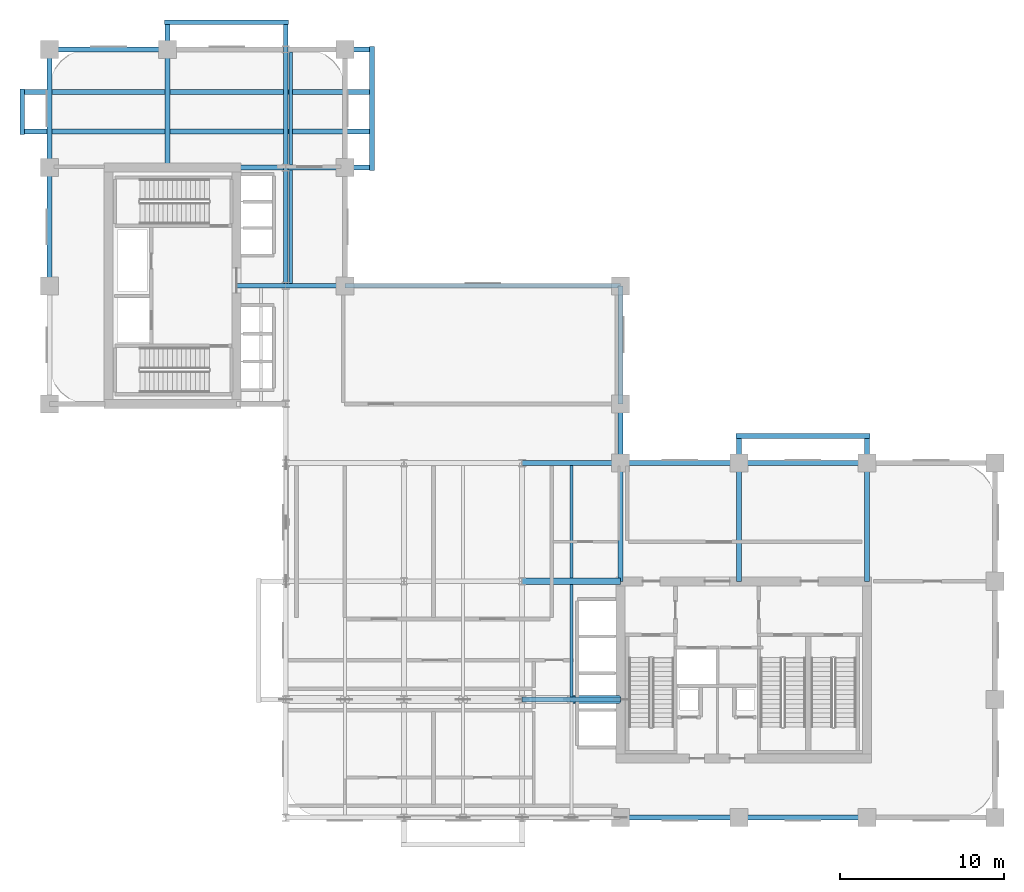
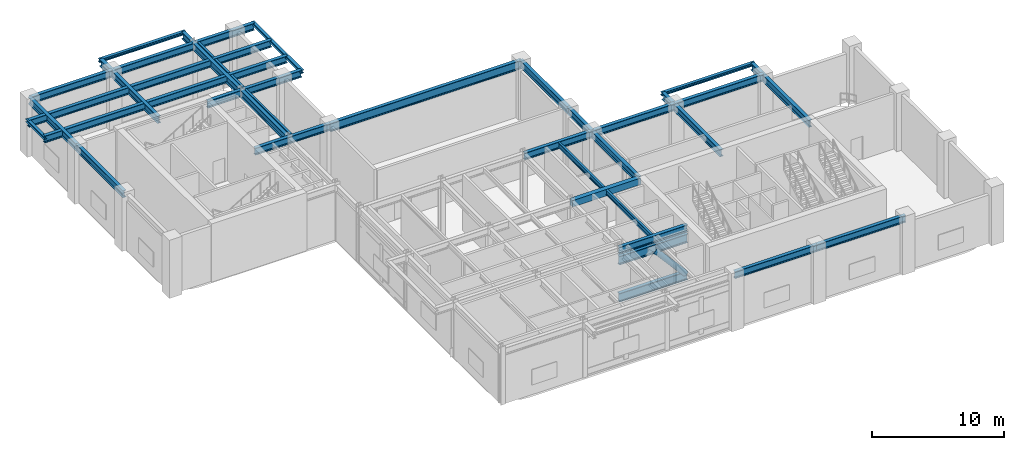
# One storey, part 3 of 12: 32 beams, 3 members.
"""IFC4 building model written with IfcOpenShell, lengths in metres."""

from ifc_helpers import new_model, si_unit, derived_unit, direction, frame, origin, origin_2d, place, context, subcontext, project, spatial, rectangle, hollow_circle, i_section, extrude, source, transform, mapped, material, material_profile, profile_set, type_object, type_shapes, element, save


model = new_model("IFC4")

# Units and contexts
model_context = context("Model", 3, precision=1e-05, world=origin(), true_north=direction((0.0, 1.0)))
body_context = subcontext(model_context, "Body", "Model", "MODEL_VIEW")
ifc_project = project(units=[si_unit("LENGTHUNIT", "METRE"), si_unit("AREAUNIT", "SQUARE_METRE"), si_unit("VOLUMEUNIT", "CUBIC_METRE"), si_unit("PLANEANGLEUNIT", "RADIAN"), si_unit("MASSUNIT", "GRAM", prefix="KILO"), si_unit("THERMODYNAMICTEMPERATUREUNIT", "KELVIN"), si_unit("POWERUNIT", "WATT"), derived_unit("THERMALTRANSMITTANCEUNIT", [(si_unit("POWERUNIT", "WATT"), 1), (si_unit("AREAUNIT", "SQUARE_METRE"), -1), (si_unit("THERMODYNAMICTEMPERATUREUNIT", "KELVIN"), -1)])], contexts=[model_context])

# Site, building, storey
site_placement = place(None, origin())
site = spatial("IfcSite", under=ifc_project, at=site_placement, CompositionType="ELEMENT")
building_placement = place(site_placement, origin())
building = spatial("IfcBuilding", under=site, at=building_placement, Name="Zahravan Archway Hotel and Residences", CompositionType="ELEMENT")
storey_placement = place(building_placement, frame((0.0, 0.0, 106.39990234375)))
storey = spatial("IfcBuildingStorey", under=building, at=storey_placement, Name="L26", CompositionType="ELEMENT", Elevation=106.39990234375)

# Beams
ifc_material_1 = material(Name="Structural Steel S355JR", Category="steel")
ifc_material_profile_1 = material_profile(ifc_material_1, i_section(OverallWidth=0.300048828125, OverallDepth=0.64990234375, WebThickness=0.01611328125, FlangeThickness=0.031005859375, FilletRadius=0.027099609375, at=origin_2d()), Name="HEB 650", Category="steel")
ifc_profile_set_1 = profile_set([ifc_material_profile_1], Name="Structural Steel S355JR")
beam_type_1 = type_object("IfcBeamType", Name="BM-PRI-HEB650", PredefinedType="BEAM", material=ifc_profile_set_1)
shared_shape_1 = source(origin(), body_context, "Body", "SweptSolid", [
    extrude(i_section(OverallWidth=0.300048828125, OverallDepth=0.64990234375, WebThickness=0.01611328125, FlangeThickness=0.031005859375, FilletRadius=0.027099609375, at=origin_2d()), origin(), (0.0, 0.0, 1.0), 7.2001953125),
])
type_shapes(beam_type_1, [shared_shape_1])
for number, where, z_axis, x_axis, name in (
    (1, (0.0, 32.39990234375, 4.8251953125), (0.0, 1.0, 0.0), (-1.0, 0.0, 0.0), "L26 Primary Girder NS-25"),
    (2, (14.39990234375, 32.39990234375, 4.8251953125), (0.0, 1.0, 0.0), (-1.0, 0.0, 0.0), "L26 Primary Girder NS-33"),
    (3, (34.800048828125, 14.39990234375, 4.8251953125), (0.0, 1.0, 0.0), (-1.0, 0.0, 0.0), "L26 Primary Girder NS-41"),
):
    element("IfcBeam", number, at=place(storey_placement, frame(where, z_axis=z_axis, x_axis=x_axis)), inside=storey, type_object=beam_type_1, Name=name, PredefinedType="BEAM", context=body_context, shape_type="MappedRepresentation", body=[
        mapped(shared_shape_1, transform((0.0, 0.0, 0.0), scale=1.0)),
    ])
shared_shape_2 = source(origin(), body_context, "Body", "SweptSolid", [
    extrude(i_section(OverallWidth=0.300048828125, OverallDepth=0.64990234375, WebThickness=0.01611328125, FlangeThickness=0.031005859375, FilletRadius=0.027099609375, at=origin_2d()), origin(), (0.0, 0.0, 1.0), 7.199951171875),
])
for number, where, z_axis, x_axis, name in (
    (4, (34.800048828125, 0.0, 4.8251953125), (1.0, 0.0, 0.0), (0.0, 1.0, 0.0), "L26 Primary Girder EW-04"),
    (5, (34.800048828125, 21.60009765625, 4.8251953125), (1.0, 0.0, 0.0), (0.0, 1.0, 0.0), "L26 Primary Girder EW-14"),
    (6, (0.0, 46.800048828125, 4.8251953125), (1.0, 0.0, 0.0), (0.0, 1.0, 0.0), "L26 Primary Girder EW-20"),
    (7, (0.0, 39.60009765625, 4.8251953125), (0.0, 1.0, 0.0), (-1.0, 0.0, 0.0), "L26 Primary Girder NS-26"),
    (8, (34.800048828125, 25.199951171875, 4.8251953125), (0.0, 1.0, 0.0), (-1.0, 0.0, 0.0), "L26 Primary Girder NS-43"),
):
    element("IfcBeam", number, at=place(storey_placement, frame(where, z_axis=z_axis, x_axis=x_axis)), inside=storey, type_object=beam_type_1, Name=name, PredefinedType="BEAM", context=body_context, shape_type="MappedRepresentation", body=[
        mapped(shared_shape_2, transform((0.0, 0.0, 0.0), scale=1.0)),
    ])
shared_shape_3 = source(origin(), body_context, "Body", "SweptSolid", [
    extrude(i_section(OverallWidth=0.300048828125, OverallDepth=0.64990234375, WebThickness=0.01611328125, FlangeThickness=0.031005859375, FilletRadius=0.027099609375, at=origin_2d()), origin(), (0.0, 0.0, 1.0), 6.0),
])
for number, where, z_axis, x_axis, name in (
    (9, (28.800048828125, 7.199951171875, 4.8251953125), (1.0, 0.0, 0.0), (0.0, 1.0, 0.0), "L26 Primary Girder EW-08"),
    (10, (28.800048828125, 21.60009765625, 4.8251953125), (1.0, 0.0, 0.0), (0.0, 1.0, 0.0), "L26 Primary Girder EW-13"),
):
    element("IfcBeam", number, at=place(storey_placement, frame(where, z_axis=z_axis, x_axis=x_axis)), inside=storey, type_object=beam_type_1, Name=name, PredefinedType="BEAM", context=body_context, shape_type="MappedRepresentation", body=[
        mapped(shared_shape_3, transform((0.0, 0.0, 0.0), scale=1.0)),
    ])
shared_shape_4 = source(origin(), body_context, "Body", "SweptSolid", [
    extrude(i_section(OverallWidth=0.300048828125, OverallDepth=0.64990234375, WebThickness=0.01611328125, FlangeThickness=0.031005859375, FilletRadius=0.027099609375, at=origin_2d()), origin(), (0.0, 0.0, 1.0), 7.800048828125),
])
for number, where, z_axis, x_axis, name in (
    (11, (42.0, 0.0, 4.8251953125), (1.0, 0.0, 0.0), (0.0, 1.0, 0.0), "L26 Primary Girder EW-05"),
    (12, (42.0, 21.60009765625, 4.8251953125), (1.0, 0.0, 0.0), (0.0, 1.0, 0.0), "L26 Primary Girder EW-15"),
):
    element("IfcBeam", number, at=place(storey_placement, frame(where, z_axis=z_axis, x_axis=x_axis)), inside=storey, type_object=beam_type_1, Name=name, PredefinedType="BEAM", context=body_context, shape_type="MappedRepresentation", body=[
        mapped(shared_shape_4, transform((0.0, 0.0, 0.0), scale=1.0)),
    ])
shared_shape_5 = source(origin(), body_context, "Body", "SweptSolid", [
    extrude(i_section(OverallWidth=0.300048828125, OverallDepth=0.64990234375, WebThickness=0.01611328125, FlangeThickness=0.031005859375, FilletRadius=0.027099609375, at=origin_2d()), origin(), (0.0, 0.0, 1.0), 6.60009765625),
])
beam_1_placement = place(storey_placement, frame((11.39990234375, 32.39990234375, 4.8251953125), z_axis=(1.0, 0.0, 0.0), x_axis=(0.0, 1.0, 0.0)))
element("IfcBeam", 13, at=beam_1_placement, inside=storey, type_object=beam_type_1, Name="L26 Primary Girder EW-17", PredefinedType="BEAM", context=body_context, shape_type="MappedRepresentation", body=[
    mapped(shared_shape_5, transform((0.0, 0.0, 0.0), scale=1.0)),
])
ifc_material_profile_2 = material_profile(ifc_material_1, i_section(OverallWidth=0.280029296875, OverallDepth=0.280029296875, WebThickness=0.010498046875, FlangeThickness=0.01806640625, FilletRadius=0.02392578125, at=origin_2d()), Name="HEB 280", Category="steel")
ifc_profile_set_2 = profile_set([ifc_material_profile_2], Name="Structural Steel S355JR")
beam_type_2 = type_object("IfcBeamType", Name="BM-SPN-HEB280", PredefinedType="SPANDREL", material=ifc_profile_set_2)
shared_shape_6 = source(origin(), body_context, "Body", "SweptSolid", [
    extrude(i_section(OverallWidth=0.280029296875, OverallDepth=0.280029296875, WebThickness=0.010498046875, FlangeThickness=0.01806640625, FilletRadius=0.02392578125, at=origin_2d()), origin(), (0.0, 0.0, 1.0), 7.56005859375),
])
type_shapes(beam_type_2, [shared_shape_6])
for number, where, z_axis, x_axis, name in (
    (14, (19.64990234375, 39.419921875, 5.010009765625), (0.0, 1.0, 0.0), (-1.0, 0.0, 0.0), "L27 EB Balcony Edge Spandrel"),
    (15, (7.02001953125, 48.449951171875, 5.010009765625), (1.0, 0.0, 0.0), (0.0, 1.0, 0.0), "L27 NB Balcony Edge Spandrel"),
):
    element("IfcBeam", number, at=place(storey_placement, frame(where, z_axis=z_axis, x_axis=x_axis)), inside=storey, type_object=beam_type_2, Name=name, PredefinedType="SPANDREL", context=body_context, shape_type="MappedRepresentation", body=[
        mapped(shared_shape_6, transform((0.0, 0.0, 0.0), scale=1.0)),
    ])
shared_shape_7 = source(origin(), body_context, "Body", "SweptSolid", [
    extrude(i_section(OverallWidth=0.280029296875, OverallDepth=0.280029296875, WebThickness=0.010498046875, FlangeThickness=0.01806640625, FilletRadius=0.02392578125, at=origin_2d()), origin(), (0.0, 0.0, 1.0), 2.759765625),
])
beam_2_placement = place(storey_placement, frame((-1.64990234375, 41.6201171875, 5.010009765625), z_axis=(0.0, 1.0, 0.0), x_axis=(-1.0, 0.0, 0.0)))
element("IfcBeam", 16, at=beam_2_placement, inside=storey, type_object=beam_type_2, Name="L27 WB Balcony Edge Spandrel", PredefinedType="SPANDREL", context=body_context, shape_type="MappedRepresentation", body=[
    mapped(shared_shape_7, transform((0.0, 0.0, 0.0), scale=1.0)),
])
shared_shape_8 = source(origin(), body_context, "Body", "SweptSolid", [
    extrude(i_section(OverallWidth=0.300048828125, OverallDepth=0.64990234375, WebThickness=0.01611328125, FlangeThickness=0.031005859375, FilletRadius=0.027099609375, at=origin_2d()), origin(), (0.0, 0.0, 1.0), 3.599853515625),
])
beam_3_placement = place(storey_placement, frame((34.800048828125, 21.60009765625, 4.8251953125), z_axis=(0.0, 1.0, 0.0), x_axis=(-1.0, 0.0, 0.0)))
element("IfcBeam", 17, at=beam_3_placement, inside=storey, type_object=beam_type_1, Name="L26 Primary Girder NS-42", PredefinedType="BEAM", context=body_context, shape_type="MappedRepresentation", body=[
    mapped(shared_shape_8, transform((0.0, 0.0, 0.0), scale=1.0)),
])
ifc_material_profile_3 = material_profile(ifc_material_1, i_section(OverallWidth=0.18994140625, OverallDepth=0.449951171875, WebThickness=0.009521484375, FlangeThickness=0.0146484375, FilletRadius=0.02099609375, at=origin_2d()), Name="IPE 450", Category="steel")
ifc_profile_set_3 = profile_set([ifc_material_profile_3], Name="Structural Steel S355JR")
beam_type_3 = type_object("IfcBeamType", Name="BM-JST-IPE450", PredefinedType="JOIST", material=ifc_profile_set_3)
shared_shape_9 = source(origin(), body_context, "Body", "SweptSolid", [
    extrude(i_section(OverallWidth=0.18994140625, OverallDepth=0.449951171875, WebThickness=0.009521484375, FlangeThickness=0.0146484375, FilletRadius=0.02099609375, at=origin_2d()), origin(), (0.0, 0.0, 1.0), 6.904052734375),
])
type_shapes(beam_type_3, [shared_shape_9])
beam_4_placement = place(storey_placement, frame((14.699951171875, 39.748046875, 4.925048828125), z_axis=(0.0, 1.0, 0.0), x_axis=(-1.0, 0.0, 0.0)))
element("IfcBeam", 18, at=beam_4_placement, inside=storey, type_object=beam_type_3, Name="L26 Composite Floor Joist 12", PredefinedType="JOIST", context=body_context, shape_type="MappedRepresentation", body=[
    mapped(shared_shape_9, transform((0.0, 0.0, 0.0), scale=1.0)),
])
shared_shape_10 = source(origin(), body_context, "Body", "SweptSolid", [
    extrude(i_section(OverallWidth=0.18994140625, OverallDepth=0.449951171875, WebThickness=0.009521484375, FlangeThickness=0.0146484375, FilletRadius=0.02099609375, at=origin_2d()), origin(), (0.0, 0.0, 1.0), 6.90380859375),
])
beam_5_placement = place(storey_placement, frame((14.699951171875, 32.548095703125, 4.925048828125), z_axis=(0.0, 1.0, 0.0), x_axis=(-1.0, 0.0, 0.0)))
element("IfcBeam", 19, at=beam_5_placement, inside=storey, type_object=beam_type_3, Name="L26 Composite Floor Joist 11", PredefinedType="JOIST", context=body_context, shape_type="MappedRepresentation", body=[
    mapped(shared_shape_10, transform((0.0, 0.0, 0.0), scale=1.0)),
])
ifc_material_2 = material(Name="Concrete C60/75", Category="concrete")
ifc_material_profile_4 = material_profile(ifc_material_2, rectangle(XDim=0.39990234375, YDim=0.60009765625, at=origin_2d()), Name="RC-LNT-400x600", Category="concrete")
ifc_profile_set_4 = profile_set([ifc_material_profile_4], Name="Concrete C60/75")
beam_type_4 = type_object("IfcBeamType", Name="LNT-RC-400x600", PredefinedType="LINTEL", material=ifc_profile_set_4)
shared_shape_11 = source(origin(), body_context, "Body", "SweptSolid", [
    extrude(rectangle(XDim=0.39990234375, YDim=0.60009765625, at=origin_2d()), origin(), (0.0, 0.0, 1.0), 6.0),
])
type_shapes(beam_type_4, [shared_shape_11])
beam_6_placement = place(storey_placement, frame((28.800048828125, 14.39990234375, 4.85009765625), z_axis=(1.0, 0.0, 0.0), x_axis=(0.0, 1.0, 0.0)))
element("IfcBeam", 20, at=beam_6_placement, inside=storey, type_object=beam_type_4, Name="L26 Core A Coupling Lintel Beam", PredefinedType="LINTEL", context=body_context, shape_type="MappedRepresentation", body=[
    mapped(shared_shape_11, transform((0.0, 0.0, 0.0), scale=1.0)),
])
ifc_material_3 = material(Name="Structural Steel S355J2", Category="steel")
ifc_material_profile_5 = material_profile(ifc_material_3, i_section(OverallWidth=0.300048828125, OverallDepth=0.800048828125, WebThickness=0.017578125, FlangeThickness=0.032958984375, FilletRadius=0.030029296875, at=origin_2d()), Name="HEB 800", Category="steel")
ifc_profile_set_5 = profile_set([ifc_material_profile_5], Name="Structural Steel S355J2")
beam_type_5 = type_object("IfcBeamType", Name="BM-PRI-HEB800", PredefinedType="BEAM", material=ifc_profile_set_5)
shared_shape_12 = source(origin(), body_context, "Body", "SweptSolid", [
    extrude(i_section(OverallWidth=0.300048828125, OverallDepth=0.800048828125, WebThickness=0.017578125, FlangeThickness=0.032958984375, FilletRadius=0.030029296875, at=origin_2d()), origin(), (0.0, 0.0, 1.0), 16.800048828125),
])
type_shapes(beam_type_5, [shared_shape_12])
beam_7_placement = place(storey_placement, frame((18.0, 32.39990234375, 4.75), z_axis=(1.0, 0.0, 0.0), x_axis=(0.0, 1.0, 0.0)))
element("IfcBeam", 21, at=beam_7_placement, inside=storey, type_object=beam_type_5, Name="L26 Primary Girder EW-18", PredefinedType="BEAM", context=body_context, shape_type="MappedRepresentation", body=[
    mapped(shared_shape_12, transform((0.0, 0.0, 0.0), scale=1.0)),
])
shared_shape_13 = source(origin(), body_context, "Body", "SweptSolid", [
    extrude(i_section(OverallWidth=0.300048828125, OverallDepth=0.64990234375, WebThickness=0.01611328125, FlangeThickness=0.031005859375, FilletRadius=0.027099609375, at=origin_2d()), origin(), (0.0, 0.0, 1.0), 8.85009765625),
])
for number, where, z_axis, x_axis, name in (
    (22, (42.0, 14.39990234375, 4.8251953125), (0.0, 1.0, 0.0), (-1.0, 0.0, 0.0), "L26 Primary Girder NS-44"),
    (23, (49.800048828125, 14.39990234375, 4.8251953125), (0.0, 1.0, 0.0), (-1.0, 0.0, 0.0), "L26 Primary Girder NS-45"),
):
    element("IfcBeam", number, at=place(storey_placement, frame(where, z_axis=z_axis, x_axis=x_axis)), inside=storey, type_object=beam_type_1, Name=name, PredefinedType="BEAM", context=body_context, shape_type="MappedRepresentation", body=[
        mapped(shared_shape_13, transform((0.0, 0.0, 0.0), scale=1.0)),
    ])
shared_shape_14 = source(origin(), body_context, "Body", "SweptSolid", [
    extrude(i_section(OverallWidth=0.300048828125, OverallDepth=0.64990234375, WebThickness=0.01611328125, FlangeThickness=0.031005859375, FilletRadius=0.027099609375, at=origin_2d()), origin(), (0.0, 0.0, 1.0), 8.25),
])
beam_8_placement = place(storey_placement, frame((11.39990234375, 39.60009765625, 4.8251953125), z_axis=(1.0, 0.0, 0.0), x_axis=(0.0, 1.0, 0.0)))
element("IfcBeam", 24, at=beam_8_placement, inside=storey, type_object=beam_type_1, Name="L26 Primary Girder EW-19", PredefinedType="BEAM", context=body_context, shape_type="MappedRepresentation", body=[
    mapped(shared_shape_14, transform((0.0, 0.0, 0.0), scale=1.0)),
])
shared_shape_15 = source(origin(), body_context, "Body", "SweptSolid", [
    extrude(i_section(OverallWidth=0.300048828125, OverallDepth=0.64990234375, WebThickness=0.01611328125, FlangeThickness=0.031005859375, FilletRadius=0.027099609375, at=origin_2d()), origin(), (0.0, 0.0, 1.0), 12.449951171875),
])
beam_9_placement = place(storey_placement, frame((7.199951171875, 46.800048828125, 4.8251953125), z_axis=(1.0, 0.0, 0.0), x_axis=(0.0, 1.0, 0.0)))
element("IfcBeam", 25, at=beam_9_placement, inside=storey, type_object=beam_type_1, Name="L26 Primary Girder EW-21", PredefinedType="BEAM", context=body_context, shape_type="MappedRepresentation", body=[
    mapped(shared_shape_15, transform((0.0, 0.0, 0.0), scale=1.0)),
])
shared_shape_16 = source(origin(), body_context, "Body", "SweptSolid", [
    extrude(i_section(OverallWidth=0.300048828125, OverallDepth=0.64990234375, WebThickness=0.01611328125, FlangeThickness=0.031005859375, FilletRadius=0.027099609375, at=origin_2d()), origin(), (0.0, 0.0, 1.0), 21.2998046875),
])
for number, where, z_axis, x_axis, name in (
    (26, (-1.64990234375, 41.800048828125, 4.8251953125), (1.0, 0.0, 0.0), (0.0, 1.0, 0.0), "L26 Primary Girder EW-22"),
    (27, (-1.64990234375, 44.199951171875, 4.8251953125), (1.0, 0.0, 0.0), (0.0, 1.0, 0.0), "L26 Primary Girder EW-23"),
):
    element("IfcBeam", number, at=place(storey_placement, frame(where, z_axis=z_axis, x_axis=x_axis)), inside=storey, type_object=beam_type_1, Name=name, PredefinedType="BEAM", context=body_context, shape_type="MappedRepresentation", body=[
        mapped(shared_shape_16, transform((0.0, 0.0, 0.0), scale=1.0)),
    ])
shared_shape_17 = source(origin(), body_context, "Body", "SweptSolid", [
    extrude(i_section(OverallWidth=0.300048828125, OverallDepth=0.64990234375, WebThickness=0.01611328125, FlangeThickness=0.031005859375, FilletRadius=0.027099609375, at=origin_2d()), origin(), (0.0, 0.0, 1.0), 8.849853515625),
])
for number, where, z_axis, x_axis, name in (
    (28, (7.199951171875, 39.60009765625, 4.8251953125), (0.0, 1.0, 0.0), (-1.0, 0.0, 0.0), "L26 Primary Girder NS-27"),
    (29, (14.39990234375, 39.60009765625, 4.8251953125), (0.0, 1.0, 0.0), (-1.0, 0.0, 0.0), "L26 Primary Girder NS-34"),
):
    element("IfcBeam", number, at=place(storey_placement, frame(where, z_axis=z_axis, x_axis=x_axis)), inside=storey, type_object=beam_type_1, Name=name, PredefinedType="BEAM", context=body_context, shape_type="MappedRepresentation", body=[
        mapped(shared_shape_17, transform((0.0, 0.0, 0.0), scale=1.0)),
    ])
shared_shape_18 = source(origin(), body_context, "Body", "SweptSolid", [
    extrude(i_section(OverallWidth=0.280029296875, OverallDepth=0.280029296875, WebThickness=0.010498046875, FlangeThickness=0.01806640625, FilletRadius=0.02392578125, at=origin_2d()), origin(), (0.0, 0.0, 1.0), 8.159912109375),
])
beam_10_placement = place(storey_placement, frame((41.820068359375, 23.25, 5.010009765625), z_axis=(1.0, 0.0, 0.0), x_axis=(0.0, 1.0, 0.0)))
element("IfcBeam", 30, at=beam_10_placement, inside=storey, type_object=beam_type_2, Name="L27 NA Balcony Edge Spandrel", PredefinedType="SPANDREL", context=body_context, shape_type="MappedRepresentation", body=[
    mapped(shared_shape_18, transform((0.0, 0.0, 0.0), scale=1.0)),
])
shared_shape_19 = source(origin(), body_context, "Body", "SweptSolid", [
    extrude(i_section(OverallWidth=0.18994140625, OverallDepth=0.449951171875, WebThickness=0.009521484375, FlangeThickness=0.0146484375, FilletRadius=0.02099609375, at=origin_2d()), origin(), (0.0, 0.0, 1.0), 6.85400390625),
])
for number, where, z_axis, x_axis, name in (
    (31, (31.800048828125, 7.347900390625, 4.925048828125), (0.0, 1.0, 0.0), (-1.0, 0.0, 0.0), "L26 Composite Floor Joist 06"),
    (32, (31.800048828125, 14.597900390625, 4.925048828125), (0.0, 1.0, 0.0), (-1.0, 0.0, 0.0), "L26 Composite Floor Joist 07"),
):
    element("IfcBeam", number, at=place(storey_placement, frame(where, z_axis=z_axis, x_axis=x_axis)), inside=storey, type_object=beam_type_3, Name=name, PredefinedType="JOIST", context=body_context, shape_type="MappedRepresentation", body=[
        mapped(shared_shape_19, transform((0.0, 0.0, 0.0), scale=1.0)),
    ])

# Members
ifc_material_4 = material(Name="Structural Steel S460M", Category="steel")
ifc_material_profile_6 = material_profile(ifc_material_4, i_section(OverallWidth=0.302978515625, OverallDepth=0.81396484375, WebThickness=0.02099609375, FlangeThickness=0.0400390625, FilletRadius=0.030029296875, at=origin_2d()), Name="HEM 800", Category="steel")
ifc_profile_set_6 = profile_set([ifc_material_profile_6], Name="Structural Steel S460M")
member_type_1 = type_object("IfcMemberType", Name="MEM-CHD-HEM800", PredefinedType="CHORD", material=ifc_profile_set_6)
shared_shape_20 = source(origin(), body_context, "Body", "SweptSolid", [
    extrude(i_section(OverallWidth=0.302978515625, OverallDepth=0.81396484375, WebThickness=0.02099609375, FlangeThickness=0.0400390625, FilletRadius=0.030029296875, at=origin_2d()), origin(), (0.0, 0.0, 1.0), 6.0),
])
for number, where, z_axis, x_axis, name in (
    (33, (28.800048828125, 7.199951171875, 3.900146484375), (1.0, 0.0, 0.0), (0.0, 1.0, 0.0), "L26 Outrigger OT2 Top Chord 3"),
    (34, (28.800048828125, 7.199951171875, 0.4501953125), (1.0, 0.0, 0.0), (0.0, 1.0, 0.0), "L26 Outrigger OT2 Bottom Chord 3"),
):
    element("IfcMember", number, at=place(storey_placement, frame(where, z_axis=z_axis, x_axis=x_axis)), inside=storey, type_object=member_type_1, Name=name, PredefinedType="CHORD", context=body_context, shape_type="MappedRepresentation", body=[
        mapped(shared_shape_20, transform((0.0, 0.0, 0.0), scale=1.0)),
    ])
ifc_material_profile_7 = material_profile(ifc_material_4, hollow_circle(Radius=0.25390625, WallThickness=0.02490234375, at=origin_2d()), Name="CHS 508x25", Category="steel")
ifc_profile_set_7 = profile_set([ifc_material_profile_7], Name="Structural Steel S460M")
member_type_2 = type_object("IfcMemberType", Name="MEM-DIAG-CHS508", PredefinedType="BRACE", material=ifc_profile_set_7)
shared_shape_21 = source(origin(), body_context, "Body", "SweptSolid", [
    extrude(hollow_circle(Radius=0.25390625, WallThickness=0.02490234375, at=origin_2d()), origin(), (0.0, 0.0, 1.0), 4.171875),
])
member_placement = place(storey_placement, frame((31.905029296875, 7.199951171875, 3.779296875), z_axis=(0.656177266113, 0.0, -0.754606781997), x_axis=(0.0, 1.0, 0.0)))
element("IfcMember", 35, at=member_placement, inside=storey, type_object=member_type_2, Name="L26 Outrigger OT2 Chevron Right 3", PredefinedType="BRACE", context=body_context, shape_type="MappedRepresentation", body=[
    mapped(shared_shape_21, transform((0.0, 0.0, 0.0), scale=1.0)),
])

save(model, "model.ifc")
